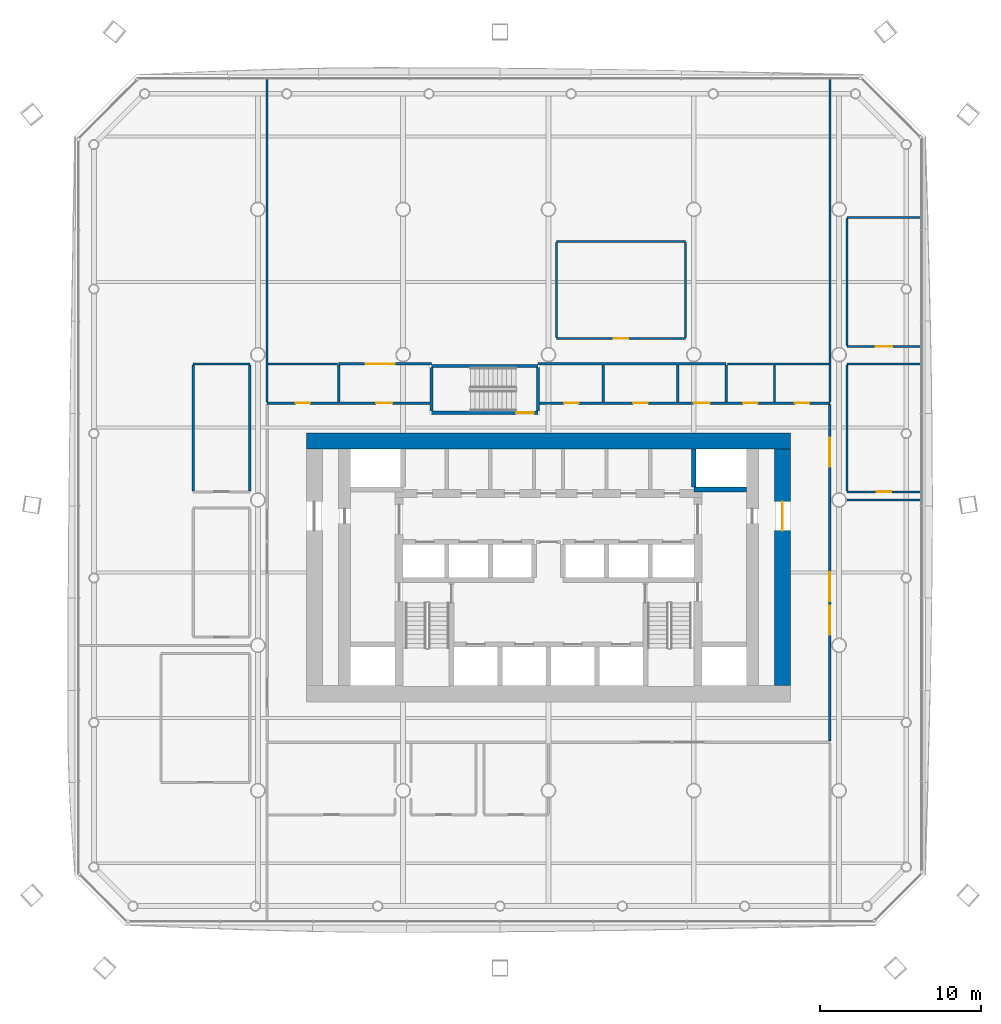
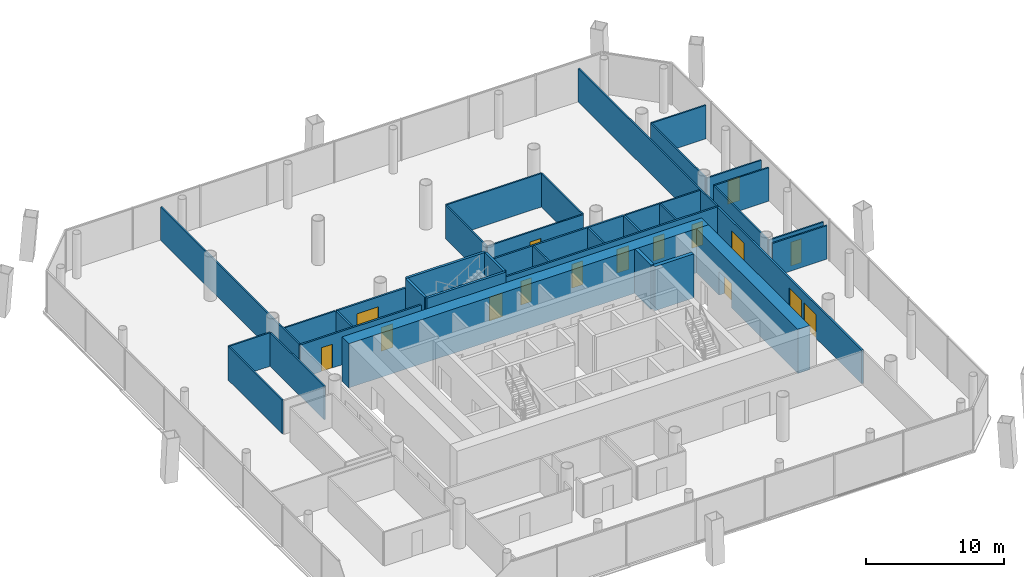
# One storey, part 14 of 20: 36 walls, 16 doors, 16 openings.
"""IFC4 building model written with IfcOpenShell, lengths in metres."""

from ifc_helpers import new_model, si_unit, direction, frame, frame_2d, origin, place, context, subcontext, project, spatial, rectangle, extrude, material, layer, layer_set, type_object, element, fill, save


model = new_model("IFC4")

# Units and contexts
model_context = context("Model", 3, precision=1e-05, world=origin(), true_north=direction((0.0, 1.0)))
body_context = subcontext(model_context, "Body", "Model", "MODEL_VIEW")
ifc_project = project(units=[si_unit("LENGTHUNIT", "METRE"), si_unit("AREAUNIT", "SQUARE_METRE"), si_unit("VOLUMEUNIT", "CUBIC_METRE"), si_unit("PLANEANGLEUNIT", "RADIAN"), si_unit("MASSUNIT", "GRAM", prefix="KILO")], contexts=[model_context])

# Site, building, storey
site_placement = place(None, origin())
site = spatial("IfcSite", under=ifc_project, at=site_placement, CompositionType="ELEMENT")
building_placement = place(site_placement, origin())
building = spatial("IfcBuilding", under=site, at=building_placement, Name="Tskaro Facet Tower", CompositionType="ELEMENT")
storey_placement = place(building_placement, frame((0.0, 0.0, 49.800048828125)))
storey = spatial("IfcBuildingStorey", under=building, at=storey_placement, Name="L11", CompositionType="ELEMENT", Elevation=49.800048828125)

# Walls
ifc_material_1 = material(Name="Concrete C60/75", Category="concrete")
ifc_layer_1 = layer(ifc_material_1, 0.300048828125, Name="Concrete C60/75")
ifc_layer_set_1 = layer_set([ifc_layer_1], Name="Concrete C60/75")
wall_type_1 = type_object("IfcWallType", Name="CORE-SHAFT", PredefinedType="SHEAR", material=ifc_layer_set_1)
wall_1_placement = place(storey_placement, frame((12.25, 0.64990234375, 0.0), z_axis=(0.0, 0.0, 1.0), x_axis=(-1.0, 0.0, 0.0)))
element("IfcWall", 1, at=wall_1_placement, inside=storey, type_object=wall_type_1, Name="Shaft wall W022", PredefinedType="SHEAR", context=body_context, shape_type="SweptSolid", body=[
    extrude(rectangle(XDim=3.25, YDim=0.300048828125, at=frame_2d((1.625, 0.0))), origin(), (0.0, 0.0, 1.0), 3.89990234375),
])
wall_2_placement = place(storey_placement, frame((9.0, 0.800048828125, 0.0), z_axis=(0.0, 0.0, 1.0), x_axis=(0.0, 1.0, 0.0)))
element("IfcWall", 2, at=wall_2_placement, inside=storey, type_object=wall_type_1, Name="Shaft wall W079", PredefinedType="SHEAR", context=body_context, shape_type="SweptSolid", body=[
    extrude(rectangle(XDim=2.349853515625, YDim=0.300048828125, at=frame_2d((1.1748046875, 0.0))), origin(), (0.0, 0.0, 1.0), 3.89990234375),
])
ifc_layer_2 = layer(ifc_material_1, 1.0, Name="Concrete C60/75")
ifc_layer_set_2 = layer_set([ifc_layer_2], Name="Concrete C60/75")
wall_type_2 = type_object("IfcWallType", Name="Core wall 1000", PredefinedType="SHEAR", material=ifc_layer_set_2)
wall_3_placement = place(storey_placement, frame((-15.0, 3.64990234375, 0.0), z_axis=(0.0, 0.0, 1.0), x_axis=(1.0, 0.0, 0.0)))
element("IfcWall", 3, at=wall_3_placement, inside=storey, type_object=wall_type_2, Name="Core wall CW-Z1N", PredefinedType="SHEAR", context=body_context, shape_type="SweptSolid", body=[
    extrude(rectangle(XDim=30.0, YDim=1.0, at=frame_2d((15.0, 0.0))), origin(), (0.0, 0.0, 1.0), 3.89990234375),
])

# Wall, opening, door
wall_4_placement = place(storey_placement, frame((14.5, -11.5, 0.0), z_axis=(0.0, 0.0, 1.0), x_axis=(0.0, 1.0, 0.0)))
wall_4 = element("IfcWall", 4, at=wall_4_placement, inside=storey, type_object=wall_type_2, Name="Core wall CW-Z1E", PredefinedType="SHEAR", context=body_context, shape_type="SweptSolid", body=[
    extrude(rectangle(XDim=14.64990234375, YDim=1.0, at=frame_2d((7.324951171875, 0.0))), origin(), (0.0, 0.0, 1.0), 3.89990234375),
])
opening_1_placement = place(wall_4_placement, frame((9.60009765625, 0.0, 0.0)))
opening_1 = element("IfcOpeningElement", 5, at=opening_1_placement, cuts=wall_4, Name="Opening T3-D20", PredefinedType="OPENING", context=body_context, shape_type="SweptSolid", body=[
    extrude(rectangle(XDim=1.800048828125, YDim=2.10009765625, at=frame_2d((0.89990234375, 1.050048828125))), frame((0.0, 0.510009765625, 0.0), z_axis=(0.0, -1.0, 0.0), x_axis=(1.0, 0.0, 0.0)), (0.0, 0.0, 1.0), 1.02001953125),
])
ifc_material_2 = material(Name="Steel", Category="steel")
door_type_1 = type_object("IfcDoorType", Name="D-CORE-PAIR", OperationType="NOTDEFINED", PredefinedType="DOOR", material=ifc_material_2)
door_1_placement = place(opening_1_placement, origin())
door_1 = element("IfcDoor", 6, at=door_1_placement, inside=storey, type_object=door_type_1, Name="Door T3-D20", OperationType="DOUBLE_DOOR_SINGLE_SWING", OverallHeight=2.10009765625, OverallWidth=1.800048828125, PredefinedType="DOOR", context=body_context, shape_type="SweptSolid", body=[
    extrude(rectangle(XDim=1.800048828125, YDim=2.10009765625, at=frame_2d((0.89990234375, 1.050048828125))), frame((0.0, 0.02490234375, 0.0), z_axis=(0.0, -1.0, 0.0), x_axis=(1.0, 0.0, 0.0)), (0.0, 0.0, 1.0), 0.050048828125),
])
fill(opening_1, door_1)

# Wall
ifc_material_3 = material(Name="Gypsum board on steel studs", Category="steel")
ifc_layer_3 = layer(ifc_material_3, 0.125, Name="Gypsum board on steel studs")
ifc_layer_set_3 = layer_set([ifc_layer_3], Name="Gypsum board on steel studs")
wall_type_3 = type_object("IfcWallType", Name="PART", PredefinedType="PARTITIONING", material=ifc_layer_set_3)
wall_5_placement = place(storey_placement, frame((18.5, 0.0, 0.0), z_axis=(0.0, 0.0, 1.0), x_axis=(1.0, 0.0, 0.0)))
element("IfcWall", 7, at=wall_5_placement, inside=storey, type_object=wall_type_3, Name="Partition W018", PredefinedType="PARTITIONING", context=body_context, shape_type="SweptSolid", body=[
    extrude(rectangle(XDim=4.556884765625, YDim=0.125, at=frame_2d((2.2783203125, 0.0))), origin(), (0.0, 0.0, 1.0), 2.9599609375),
])

# Wall, opening, door
wall_6_placement = place(storey_placement, frame((18.5, 0.5, 0.0), z_axis=(0.0, 0.0, 1.0), x_axis=(1.0, 0.0, 0.0)))
wall_6 = element("IfcWall", 8, at=wall_6_placement, inside=storey, type_object=wall_type_3, Name="Partition W020", PredefinedType="PARTITIONING", context=body_context, shape_type="SweptSolid", body=[
    extrude(rectangle(XDim=4.556884765625, YDim=0.125, at=frame_2d((2.2783203125, 0.0))), origin(), (0.0, 0.0, 1.0), 2.9599609375),
])
opening_2_placement = place(wall_6_placement, frame((1.82861328125, 0.0, 0.0)))
opening_2 = element("IfcOpeningElement", 9, at=opening_2_placement, cuts=wall_6, Name="Opening T3-D29", PredefinedType="OPENING", context=body_context, shape_type="SweptSolid", body=[
    extrude(rectangle(XDim=0.89990234375, YDim=2.10009765625, at=frame_2d((0.449951171875, 1.050048828125))), frame((0.0, 0.072509765625, 0.0), z_axis=(0.0, -1.0, 0.0), x_axis=(1.0, 0.0, 0.0)), (0.0, 0.0, 1.0), 0.14501953125),
])
ifc_material_4 = material(Name="Timber", Category="wood")
door_type_2 = type_object("IfcDoorType", Name="D-ROOM", OperationType="NOTDEFINED", PredefinedType="DOOR", material=ifc_material_4)
door_2_placement = place(opening_2_placement, origin())
door_2 = element("IfcDoor", 10, at=door_2_placement, inside=storey, type_object=door_type_2, Name="Door T3-D29", OperationType="SINGLE_SWING_LEFT", OverallHeight=2.10009765625, OverallWidth=0.89990234375, PredefinedType="DOOR", context=body_context, shape_type="SweptSolid", body=[
    extrude(rectangle(XDim=0.89990234375, YDim=2.10009765625, at=frame_2d((0.449951171875, 1.050048828125))), frame((0.0, 0.02490234375, 0.0), z_axis=(0.0, -1.0, 0.0), x_axis=(1.0, 0.0, 0.0)), (0.0, 0.0, 1.0), 0.050048828125),
])
fill(opening_2, door_2)

# Walls
wall_7_placement = place(storey_placement, frame((-22.0, 8.425048828125, 0.0), z_axis=(0.0, 0.0, 1.0), x_axis=(1.0, 0.0, 0.0)))
element("IfcWall", 11, at=wall_7_placement, inside=storey, type_object=wall_type_3, Name="Partition W027", PredefinedType="PARTITIONING", context=body_context, shape_type="SweptSolid", body=[
    extrude(rectangle(XDim=3.5, YDim=0.125, at=frame_2d((1.75, 0.0))), origin(), (0.0, 0.0, 1.0), 2.9599609375),
])
wall_8_placement = place(storey_placement, frame((-17.362548828125, 8.425048828125, 0.0), z_axis=(0.0, 0.0, 1.0), x_axis=(1.0, 0.0, 0.0)))
element("IfcWall", 12, at=wall_8_placement, inside=storey, type_object=wall_type_3, Name="Partition W028", PredefinedType="PARTITIONING", context=body_context, shape_type="SweptSolid", body=[
    extrude(rectangle(XDim=4.28759765625, YDim=0.125, at=frame_2d((2.143798828125, 0.0))), origin(), (0.0, 0.0, 1.0), 2.9599609375),
])
wall_9_placement = place(storey_placement, frame((11.074951171875, 8.425048828125, 0.0), z_axis=(0.0, 0.0, 1.0), x_axis=(1.0, 0.0, 0.0)))
element("IfcWall", 13, at=wall_9_placement, inside=storey, type_object=wall_type_3, Name="Partition W031", PredefinedType="PARTITIONING", context=body_context, shape_type="SweptSolid", body=[
    extrude(rectangle(XDim=6.28759765625, YDim=0.125, at=frame_2d((3.143798828125, 0.0))), origin(), (0.0, 0.0, 1.0), 2.9599609375),
])
wall_10_placement = place(storey_placement, frame((18.5, 8.425048828125, 0.0), z_axis=(0.0, 0.0, 1.0), x_axis=(1.0, 0.0, 0.0)))
element("IfcWall", 14, at=wall_10_placement, inside=storey, type_object=wall_type_3, Name="Partition W032", PredefinedType="PARTITIONING", context=body_context, shape_type="SweptSolid", body=[
    extrude(rectangle(XDim=4.556884765625, YDim=0.125, at=frame_2d((2.2783203125, 0.0))), origin(), (0.0, 0.0, 1.0), 2.9599609375),
])

# Wall, opening, door
wall_11_placement = place(storey_placement, frame((18.5, 9.5, 0.0), z_axis=(0.0, 0.0, 1.0), x_axis=(1.0, 0.0, 0.0)))
wall_11 = element("IfcWall", 15, at=wall_11_placement, inside=storey, type_object=wall_type_3, Name="Partition W033", PredefinedType="PARTITIONING", context=body_context, shape_type="SweptSolid", body=[
    extrude(rectangle(XDim=4.556884765625, YDim=0.125, at=frame_2d((2.2783203125, 0.0))), origin(), (0.0, 0.0, 1.0), 2.9599609375),
])
opening_3_placement = place(wall_11_placement, frame((1.778564453125, 0.0, 0.0)))
opening_3 = element("IfcOpeningElement", 16, at=opening_3_placement, cuts=wall_11, Name="Opening T3-D41", PredefinedType="OPENING", context=body_context, shape_type="SweptSolid", body=[
    extrude(rectangle(XDim=1.0, YDim=2.10009765625, at=frame_2d((0.5, 1.050048828125))), frame((0.0, 0.072509765625, 0.0), z_axis=(0.0, -1.0, 0.0), x_axis=(1.0, 0.0, 0.0)), (0.0, 0.0, 1.0), 0.14501953125),
])
door_type_3 = type_object("IfcDoorType", Name="D-ROOM-WIDE", OperationType="NOTDEFINED", PredefinedType="DOOR", material=ifc_material_4)
door_3_placement = place(opening_3_placement, origin())
door_3 = element("IfcDoor", 17, at=door_3_placement, inside=storey, type_object=door_type_3, Name="Door T3-D41", OperationType="SINGLE_SWING_LEFT", OverallHeight=2.10009765625, OverallWidth=1.0, PredefinedType="DOOR", context=body_context, shape_type="SweptSolid", body=[
    extrude(rectangle(XDim=1.0, YDim=2.10009765625, at=frame_2d((0.5, 1.050048828125))), frame((0.0, 0.02490234375, 0.0), z_axis=(0.0, -1.0, 0.0), x_axis=(1.0, 0.0, 0.0)), (0.0, 0.0, 1.0), 0.050048828125),
])
fill(opening_3, door_3)

wall_12_placement = place(storey_placement, frame((0.5, 10.0, 0.0), z_axis=(0.0, 0.0, 1.0), x_axis=(1.0, 0.0, 0.0)))
wall_12 = element("IfcWall", 18, at=wall_12_placement, inside=storey, type_object=wall_type_3, Name="Partition W034", PredefinedType="PARTITIONING", context=body_context, shape_type="SweptSolid", body=[
    extrude(rectangle(XDim=8.0, YDim=0.125, at=frame_2d((4.0, 0.0))), origin(), (0.0, 0.0, 1.0), 2.9599609375),
])
opening_4_placement = place(wall_12_placement, frame((3.550048828125, 0.0, 0.0)))
opening_4 = element("IfcOpeningElement", 19, at=opening_4_placement, cuts=wall_12, Name="Opening T3-D42", PredefinedType="OPENING", context=body_context, shape_type="SweptSolid", body=[
    extrude(rectangle(XDim=0.89990234375, YDim=2.10009765625, at=frame_2d((0.449951171875, 1.050048828125))), frame((0.0, 0.072509765625, 0.0), z_axis=(0.0, -1.0, 0.0), x_axis=(1.0, 0.0, 0.0)), (0.0, 0.0, 1.0), 0.14501953125),
])
door_4_placement = place(opening_4_placement, origin())
door_4 = element("IfcDoor", 20, at=door_4_placement, inside=storey, type_object=door_type_2, Name="Door T3-D42", OperationType="SINGLE_SWING_LEFT", OverallHeight=2.10009765625, OverallWidth=0.89990234375, PredefinedType="DOOR", context=body_context, shape_type="SweptSolid", body=[
    extrude(rectangle(XDim=0.89990234375, YDim=2.10009765625, at=frame_2d((0.449951171875, 1.050048828125))), frame((0.0, 0.02490234375, 0.0), z_axis=(0.0, -1.0, 0.0), x_axis=(1.0, 0.0, 0.0)), (0.0, 0.0, 1.0), 0.050048828125),
])
fill(opening_4, door_4)

# Walls
wall_13_placement = place(storey_placement, frame((0.5, 16.0, 0.0), z_axis=(0.0, 0.0, 1.0), x_axis=(1.0, 0.0, 0.0)))
element("IfcWall", 21, at=wall_13_placement, inside=storey, type_object=wall_type_3, Name="Partition W035", PredefinedType="PARTITIONING", context=body_context, shape_type="SweptSolid", body=[
    extrude(rectangle(XDim=8.0, YDim=0.125, at=frame_2d((4.0, 0.0))), origin(), (0.0, 0.0, 1.0), 2.9599609375),
])
wall_14_placement = place(storey_placement, frame((18.5, 17.5, 0.0), z_axis=(0.0, 0.0, 1.0), x_axis=(1.0, 0.0, 0.0)))
element("IfcWall", 22, at=wall_14_placement, inside=storey, type_object=wall_type_3, Name="Partition W036", PredefinedType="PARTITIONING", context=body_context, shape_type="SweptSolid", body=[
    extrude(rectangle(XDim=4.556884765625, YDim=0.125, at=frame_2d((2.2783203125, 0.0))), origin(), (0.0, 0.0, 1.0), 2.9599609375),
])
for number, where, z_axis, x_axis, name in (
    (23, (-22.0, 0.5625, 0.0), (0.0, 0.0, 1.0), (0.0, 1.0, 0.0), "Partition W039"),
    (24, (-18.5, 0.5625, 0.0), (0.0, 0.0, 1.0), (0.0, 1.0, 0.0), "Partition W042"),
):
    element("IfcWall", number, at=place(storey_placement, frame(where, z_axis=z_axis, x_axis=x_axis)), inside=storey, type_object=wall_type_3, Name=name, PredefinedType="PARTITIONING", context=body_context, shape_type="SweptSolid", body=[
        extrude(rectangle(XDim=7.800048828125, YDim=0.125, at=frame_2d((3.89990234375, 0.0))), origin(), (0.0, 0.0, 1.0), 2.9599609375),
    ])
wall_15_placement = place(storey_placement, frame((-17.425048828125, 6.074951171875, 0.0), z_axis=(0.0, 0.0, 1.0), x_axis=(0.0, 1.0, 0.0)))
element("IfcWall", 25, at=wall_15_placement, inside=storey, type_object=wall_type_3, Name="Partition W045", PredefinedType="PARTITIONING", context=body_context, shape_type="SweptSolid", body=[
    extrude(rectangle(XDim=19.98193359375, YDim=0.125, at=frame_2d((9.990966796875, 0.0))), origin(), (0.0, 0.0, 1.0), 2.9599609375),
])
for number, where, z_axis, x_axis, name in (
    (26, (0.5, 10.0625, 0.0), (0.0, 0.0, 1.0), (0.0, 1.0, 0.0), "Partition W067"),
    (27, (8.5, 10.0625, 0.0), (0.0, 0.0, 1.0), (0.0, 1.0, 0.0), "Partition W078"),
):
    element("IfcWall", number, at=place(storey_placement, frame(where, z_axis=z_axis, x_axis=x_axis)), inside=storey, type_object=wall_type_3, Name=name, PredefinedType="PARTITIONING", context=body_context, shape_type="SweptSolid", body=[
        extrude(rectangle(XDim=5.875, YDim=0.125, at=frame_2d((2.9375, 0.0))), origin(), (0.0, 0.0, 1.0), 2.9599609375),
    ])
wall_16_placement = place(storey_placement, frame((14.0, 6.074951171875, 0.0), z_axis=(0.0, 0.0, 1.0), x_axis=(0.0, 1.0, 0.0)))
element("IfcWall", 28, at=wall_16_placement, inside=storey, type_object=wall_type_3, Name="Partition W081", PredefinedType="PARTITIONING", context=body_context, shape_type="SweptSolid", body=[
    extrude(rectangle(XDim=2.28759765625, YDim=0.125, at=frame_2d((1.143798828125, 0.0))), origin(), (0.0, 0.0, 1.0), 2.9599609375),
])
wall_17_placement = place(storey_placement, frame((17.425048828125, 6.074951171875, 0.0), z_axis=(0.0, 0.0, 1.0), x_axis=(0.0, 1.0, 0.0)))
element("IfcWall", 29, at=wall_17_placement, inside=storey, type_object=wall_type_3, Name="Partition W084", PredefinedType="PARTITIONING", context=body_context, shape_type="SweptSolid", body=[
    extrude(rectangle(XDim=19.98193359375, YDim=0.125, at=frame_2d((9.990966796875, 0.0))), origin(), (0.0, 0.0, 1.0), 2.9599609375),
])
wall_18_placement = place(storey_placement, frame((18.5, 0.5625, 0.0), z_axis=(0.0, 0.0, 1.0), x_axis=(0.0, 1.0, 0.0)))
element("IfcWall", 30, at=wall_18_placement, inside=storey, type_object=wall_type_3, Name="Partition W085", PredefinedType="PARTITIONING", context=body_context, shape_type="SweptSolid", body=[
    extrude(rectangle(XDim=7.800048828125, YDim=0.125, at=frame_2d((3.89990234375, 0.0))), origin(), (0.0, 0.0, 1.0), 2.9599609375),
])
wall_19_placement = place(storey_placement, frame((18.5, 9.5625, 0.0), z_axis=(0.0, 0.0, 1.0), x_axis=(0.0, 1.0, 0.0)))
element("IfcWall", 31, at=wall_19_placement, inside=storey, type_object=wall_type_3, Name="Partition W086", PredefinedType="PARTITIONING", context=body_context, shape_type="SweptSolid", body=[
    extrude(rectangle(XDim=7.875, YDim=0.125, at=frame_2d((3.9375, 0.0))), origin(), (0.0, 0.0, 1.0), 2.9599609375),
])

# Wall, openings, doors
ifc_layer_4 = layer(ifc_material_3, 0.14990234375, Name="Gypsum board on steel studs")
ifc_layer_set_4 = layer_set([ifc_layer_4], Name="Gypsum board on steel studs")
wall_type_4 = type_object("IfcWallType", Name="PART-CORR", PredefinedType="PARTITIONING", material=ifc_layer_set_4)
wall_20_placement = place(storey_placement, frame((-7.35009765625, 6.0, 0.0), z_axis=(0.0, 0.0, 1.0), x_axis=(-1.0, 0.0, 0.0)))
wall_20 = element("IfcWall", 32, at=wall_20_placement, inside=storey, type_object=wall_type_4, Name="Corridor wall W024", PredefinedType="PARTITIONING", context=body_context, shape_type="SweptSolid", body=[
    extrude(rectangle(XDim=10.074951171875, YDim=0.14990234375, at=frame_2d((5.03759765625, 0.0))), origin(), (0.0, 0.0, 1.0), 2.9599609375),
])
opening_5_placement = place(wall_20_placement, frame((2.324951171875, 0.0, 0.0)))
opening_5 = element("IfcOpeningElement", 33, at=opening_5_placement, cuts=wall_20, Name="Opening T3-D34", PredefinedType="OPENING", context=body_context, shape_type="SweptSolid", body=[
    extrude(rectangle(XDim=1.0, YDim=2.10009765625, at=frame_2d((0.5, 1.050048828125))), frame((0.0, 0.0849609375, 0.0), z_axis=(0.0, -1.0, 0.0), x_axis=(1.0, 0.0, 0.0)), (0.0, 0.0, 1.0), 0.169921875),
])
opening_6_placement = place(wall_20_placement, frame((7.41259765625, 0.0, 0.0)))
opening_6 = element("IfcOpeningElement", 34, at=opening_6_placement, cuts=wall_20, Name="Opening T3-D33", PredefinedType="OPENING", context=body_context, shape_type="SweptSolid", body=[
    extrude(rectangle(XDim=0.89990234375, YDim=2.10009765625, at=frame_2d((0.449951171875, 1.050048828125))), frame((0.0, 0.0849609375, 0.0), z_axis=(0.0, -1.0, 0.0), x_axis=(1.0, 0.0, 0.0)), (0.0, 0.0, 1.0), 0.169921875),
])
door_type_4 = type_object("IfcDoorType", Name="D-ENTRY", OperationType="NOTDEFINED", PredefinedType="DOOR", material=ifc_material_4)
door_5_placement = place(opening_5_placement, origin())
door_5 = element("IfcDoor", 35, at=door_5_placement, inside=storey, type_object=door_type_4, Name="Door T3-D34", OperationType="SINGLE_SWING_RIGHT", OverallHeight=2.10009765625, OverallWidth=1.0, PredefinedType="DOOR", context=body_context, shape_type="SweptSolid", body=[
    extrude(rectangle(XDim=1.0, YDim=2.10009765625, at=frame_2d((0.5, 1.050048828125))), frame((0.0, 0.02490234375, 0.0), z_axis=(0.0, -1.0, 0.0), x_axis=(1.0, 0.0, 0.0)), (0.0, 0.0, 1.0), 0.050048828125),
])
fill(opening_5, door_5)
door_6_placement = place(opening_6_placement, origin())
door_6 = element("IfcDoor", 36, at=door_6_placement, inside=storey, type_object=door_type_2, Name="Door T3-D33", OperationType="SINGLE_SWING_RIGHT", OverallHeight=2.10009765625, OverallWidth=0.89990234375, PredefinedType="DOOR", context=body_context, shape_type="SweptSolid", body=[
    extrude(rectangle(XDim=0.89990234375, YDim=2.10009765625, at=frame_2d((0.449951171875, 1.050048828125))), frame((0.0, 0.02490234375, 0.0), z_axis=(0.0, -1.0, 0.0), x_axis=(1.0, 0.0, 0.0)), (0.0, 0.0, 1.0), 0.050048828125),
])
fill(opening_6, door_6)

wall_21_placement = place(storey_placement, frame((-0.550048828125, 6.0, 0.0), z_axis=(0.0, 0.0, 1.0), x_axis=(1.0, 0.0, 0.0)))
wall_21 = element("IfcWall", 37, at=wall_21_placement, inside=storey, type_object=wall_type_4, Name="Corridor wall W025", PredefinedType="PARTITIONING", context=body_context, shape_type="SweptSolid", body=[
    extrude(rectangle(XDim=17.97509765625, YDim=0.14990234375, at=frame_2d((8.987548828125, 0.0))), origin(), (0.0, 0.0, 1.0), 2.9599609375),
])
opening_7_placement = place(wall_21_placement, frame((1.52490234375, 0.0, 0.0)))
opening_7 = element("IfcOpeningElement", 38, at=opening_7_placement, cuts=wall_21, Name="Opening T3-D35", PredefinedType="OPENING", context=body_context, shape_type="SweptSolid", body=[
    extrude(rectangle(XDim=0.89990234375, YDim=2.10009765625, at=frame_2d((0.449951171875, 1.050048828125))), frame((0.0, 0.0849609375, 0.0), z_axis=(0.0, -1.0, 0.0), x_axis=(1.0, 0.0, 0.0)), (0.0, 0.0, 1.0), 0.169921875),
])
opening_8_placement = place(wall_21_placement, frame((5.800048828125, 0.0, 0.0)))
opening_8 = element("IfcOpeningElement", 39, at=opening_8_placement, cuts=wall_21, Name="Opening T3-D36", PredefinedType="OPENING", context=body_context, shape_type="SweptSolid", body=[
    extrude(rectangle(XDim=0.89990234375, YDim=2.10009765625, at=frame_2d((0.449951171875, 1.050048828125))), frame((0.0, 0.0849609375, 0.0), z_axis=(0.0, -1.0, 0.0), x_axis=(1.0, 0.0, 0.0)), (0.0, 0.0, 1.0), 0.169921875),
])
opening_9_placement = place(wall_21_placement, frame((9.550048828125, 0.0, 0.0)))
opening_9 = element("IfcOpeningElement", 40, at=opening_9_placement, cuts=wall_21, Name="Opening T3-D37", PredefinedType="OPENING", context=body_context, shape_type="SweptSolid", body=[
    extrude(rectangle(XDim=1.0, YDim=2.10009765625, at=frame_2d((0.5, 1.050048828125))), frame((0.0, 0.0849609375, 0.0), z_axis=(0.0, -1.0, 0.0), x_axis=(1.0, 0.0, 0.0)), (0.0, 0.0, 1.0), 0.169921875),
])
opening_10_placement = place(wall_21_placement, frame((12.60009765625, 0.0, 0.0)))
opening_10 = element("IfcOpeningElement", 41, at=opening_10_placement, cuts=wall_21, Name="Opening T3-D38", PredefinedType="OPENING", context=body_context, shape_type="SweptSolid", body=[
    extrude(rectangle(XDim=0.89990234375, YDim=2.10009765625, at=frame_2d((0.449951171875, 1.050048828125))), frame((0.0, 0.0849609375, 0.0), z_axis=(0.0, -1.0, 0.0), x_axis=(1.0, 0.0, 0.0)), (0.0, 0.0, 1.0), 0.169921875),
])
opening_11_placement = place(wall_21_placement, frame((15.8125, 0.0, 0.0)))
opening_11 = element("IfcOpeningElement", 42, at=opening_11_placement, cuts=wall_21, Name="Opening T3-D39", PredefinedType="OPENING", context=body_context, shape_type="SweptSolid", body=[
    extrude(rectangle(XDim=0.89990234375, YDim=2.10009765625, at=frame_2d((0.449951171875, 1.050048828125))), frame((0.0, 0.0849609375, 0.0), z_axis=(0.0, -1.0, 0.0), x_axis=(1.0, 0.0, 0.0)), (0.0, 0.0, 1.0), 0.169921875),
])
door_7_placement = place(opening_7_placement, origin())
door_7 = element("IfcDoor", 43, at=door_7_placement, inside=storey, type_object=door_type_2, Name="Door T3-D35", OperationType="SINGLE_SWING_LEFT", OverallHeight=2.10009765625, OverallWidth=0.89990234375, PredefinedType="DOOR", context=body_context, shape_type="SweptSolid", body=[
    extrude(rectangle(XDim=0.89990234375, YDim=2.10009765625, at=frame_2d((0.449951171875, 1.050048828125))), frame((0.0, 0.02490234375, 0.0), z_axis=(0.0, -1.0, 0.0), x_axis=(1.0, 0.0, 0.0)), (0.0, 0.0, 1.0), 0.050048828125),
])
fill(opening_7, door_7)
door_8_placement = place(opening_8_placement, origin())
door_8 = element("IfcDoor", 44, at=door_8_placement, inside=storey, type_object=door_type_2, Name="Door T3-D36", OperationType="SINGLE_SWING_LEFT", OverallHeight=2.10009765625, OverallWidth=0.89990234375, PredefinedType="DOOR", context=body_context, shape_type="SweptSolid", body=[
    extrude(rectangle(XDim=0.89990234375, YDim=2.10009765625, at=frame_2d((0.449951171875, 1.050048828125))), frame((0.0, 0.02490234375, 0.0), z_axis=(0.0, -1.0, 0.0), x_axis=(1.0, 0.0, 0.0)), (0.0, 0.0, 1.0), 0.050048828125),
])
fill(opening_8, door_8)
door_9_placement = place(opening_10_placement, origin())
door_9 = element("IfcDoor", 45, at=door_9_placement, inside=storey, type_object=door_type_2, Name="Door T3-D38", OperationType="SINGLE_SWING_LEFT", OverallHeight=2.10009765625, OverallWidth=0.89990234375, PredefinedType="DOOR", context=body_context, shape_type="SweptSolid", body=[
    extrude(rectangle(XDim=0.89990234375, YDim=2.10009765625, at=frame_2d((0.449951171875, 1.050048828125))), frame((0.0, 0.02490234375, 0.0), z_axis=(0.0, -1.0, 0.0), x_axis=(1.0, 0.0, 0.0)), (0.0, 0.0, 1.0), 0.050048828125),
])
fill(opening_10, door_9)
door_10_placement = place(opening_11_placement, origin())
door_10 = element("IfcDoor", 46, at=door_10_placement, inside=storey, type_object=door_type_2, Name="Door T3-D39", OperationType="SINGLE_SWING_LEFT", OverallHeight=2.10009765625, OverallWidth=0.89990234375, PredefinedType="DOOR", context=body_context, shape_type="SweptSolid", body=[
    extrude(rectangle(XDim=0.89990234375, YDim=2.10009765625, at=frame_2d((0.449951171875, 1.050048828125))), frame((0.0, 0.02490234375, 0.0), z_axis=(0.0, -1.0, 0.0), x_axis=(1.0, 0.0, 0.0)), (0.0, 0.0, 1.0), 0.050048828125),
])
fill(opening_11, door_10)
door_11_placement = place(opening_9_placement, origin())
door_11 = element("IfcDoor", 47, at=door_11_placement, inside=storey, type_object=door_type_3, Name="Door T3-D37", OperationType="SINGLE_SWING_LEFT", OverallHeight=2.10009765625, OverallWidth=1.0, PredefinedType="DOOR", context=body_context, shape_type="SweptSolid", body=[
    extrude(rectangle(XDim=1.0, YDim=2.10009765625, at=frame_2d((0.5, 1.050048828125))), frame((0.0, 0.02490234375, 0.0), z_axis=(0.0, -1.0, 0.0), x_axis=(1.0, 0.0, 0.0)), (0.0, 0.0, 1.0), 0.050048828125),
])
fill(opening_9, door_11)

# Wall, opening, door
wall_22_placement = place(storey_placement, frame((-13.0, 8.425048828125, 0.0), z_axis=(0.0, 0.0, 1.0), x_axis=(1.0, 0.0, 0.0)))
wall_22 = element("IfcWall", 48, at=wall_22_placement, inside=storey, type_object=wall_type_4, Name="Corridor wall W029", PredefinedType="PARTITIONING", context=body_context, shape_type="SweptSolid", body=[
    extrude(rectangle(XDim=5.75, YDim=0.14990234375, at=frame_2d((2.875, 0.0))), origin(), (0.0, 0.0, 1.0), 2.9599609375),
])
opening_12_placement = place(wall_22_placement, frame((1.675048828125, 0.0, 0.0)))
opening_12 = element("IfcOpeningElement", 49, at=opening_12_placement, cuts=wall_22, Name="Opening T3-D40", PredefinedType="OPENING", context=body_context, shape_type="SweptSolid", body=[
    extrude(rectangle(XDim=1.800048828125, YDim=2.10009765625, at=frame_2d((0.89990234375, 1.050048828125))), frame((0.0, 0.0849609375, 0.0), z_axis=(0.0, -1.0, 0.0), x_axis=(1.0, 0.0, 0.0)), (0.0, 0.0, 1.0), 0.169921875),
])
ifc_material_5 = material(Name="Glass", Category="glass")
door_type_5 = type_object("IfcDoorType", Name="D-ENTRY-PAIR", OperationType="NOTDEFINED", PredefinedType="DOOR", material=ifc_material_5)
door_12_placement = place(opening_12_placement, origin())
door_12 = element("IfcDoor", 50, at=door_12_placement, inside=storey, type_object=door_type_5, Name="Door T3-D40", OperationType="DOUBLE_DOOR_SINGLE_SWING", OverallHeight=2.10009765625, OverallWidth=1.800048828125, PredefinedType="DOOR", context=body_context, shape_type="SweptSolid", body=[
    extrude(rectangle(XDim=1.800048828125, YDim=2.10009765625, at=frame_2d((0.89990234375, 1.050048828125))), frame((0.0, 0.02490234375, 0.0), z_axis=(0.0, -1.0, 0.0), x_axis=(1.0, 0.0, 0.0)), (0.0, 0.0, 1.0), 0.050048828125),
])
fill(opening_12, door_12)

# Walls
wall_23_placement = place(storey_placement, frame((-0.64990234375, 8.425048828125, 0.0), z_axis=(0.0, 0.0, 1.0), x_axis=(1.0, 0.0, 0.0)))
element("IfcWall", 51, at=wall_23_placement, inside=storey, type_object=wall_type_4, Name="Corridor wall W030", PredefinedType="PARTITIONING", context=body_context, shape_type="SweptSolid", body=[
    extrude(rectangle(XDim=11.64990234375, YDim=0.14990234375, at=frame_2d((5.824951171875, 0.0))), origin(), (0.0, 0.0, 1.0), 2.9599609375),
])
for number, where, z_axis, x_axis, name in (
    (52, (-13.0, 6.074951171875, 0.0), (0.0, 0.0, 1.0), (0.0, 1.0, 0.0), "Corridor wall W046"),
    (53, (3.39990234375, 6.074951171875, 0.0), (0.0, 0.0, 1.0), (0.0, 1.0, 0.0), "Corridor wall W071"),
    (54, (8.0, 6.074951171875, 0.0), (0.0, 0.0, 1.0), (0.0, 1.0, 0.0), "Corridor wall W077"),
    (55, (11.0, 6.074951171875, 0.0), (0.0, 0.0, 1.0), (0.0, 1.0, 0.0), "Corridor wall W080"),
):
    element("IfcWall", number, at=place(storey_placement, frame(where, z_axis=z_axis, x_axis=x_axis)), inside=storey, type_object=wall_type_4, Name=name, PredefinedType="PARTITIONING", context=body_context, shape_type="SweptSolid", body=[
        extrude(rectangle(XDim=2.275146484375, YDim=0.14990234375, at=frame_2d((1.1376953125, 0.0))), origin(), (0.0, 0.0, 1.0), 2.9599609375),
    ])

# Wall, openings, doors
wall_24_placement = place(storey_placement, frame((17.425048828125, -14.925048828125, 0.0), z_axis=(0.0, 0.0, 1.0), x_axis=(0.0, 1.0, 0.0)))
wall_24 = element("IfcWall", 56, at=wall_24_placement, inside=storey, type_object=wall_type_4, Name="Corridor wall W083", PredefinedType="PARTITIONING", context=body_context, shape_type="SweptSolid", body=[
    extrude(rectangle(XDim=20.85009765625, YDim=0.14990234375, at=frame_2d((10.425048828125, 0.0))), origin(), (0.0, 0.0, 1.0), 2.9599609375),
])
opening_13_placement = place(wall_24_placement, frame((6.5625, 0.0, 0.0)))
opening_13 = element("IfcOpeningElement", 57, at=opening_13_placement, cuts=wall_24, Name="Opening T3-D11", PredefinedType="OPENING", context=body_context, shape_type="SweptSolid", body=[
    extrude(rectangle(XDim=1.800048828125, YDim=2.10009765625, at=frame_2d((0.89990234375, 1.050048828125))), frame((0.0, 0.0849609375, 0.0), z_axis=(0.0, -1.0, 0.0), x_axis=(1.0, 0.0, 0.0)), (0.0, 0.0, 1.0), 0.169921875),
])
opening_14_placement = place(wall_24_placement, frame((8.66259765625, 0.0, 0.0)))
opening_14 = element("IfcOpeningElement", 58, at=opening_14_placement, cuts=wall_24, Name="Opening T3-D12", PredefinedType="OPENING", context=body_context, shape_type="SweptSolid", body=[
    extrude(rectangle(XDim=1.800048828125, YDim=2.10009765625, at=frame_2d((0.89990234375, 1.050048828125))), frame((0.0, 0.0849609375, 0.0), z_axis=(0.0, -1.0, 0.0), x_axis=(1.0, 0.0, 0.0)), (0.0, 0.0, 1.0), 0.169921875),
])
opening_15_placement = place(wall_24_placement, frame((16.987548828125, 0.0, 0.0)))
opening_15 = element("IfcOpeningElement", 59, at=opening_15_placement, cuts=wall_24, Name="Opening T3-D32", PredefinedType="OPENING", context=body_context, shape_type="SweptSolid", body=[
    extrude(rectangle(XDim=1.800048828125, YDim=2.10009765625, at=frame_2d((0.89990234375, 1.050048828125))), frame((0.0, 0.0849609375, 0.0), z_axis=(0.0, -1.0, 0.0), x_axis=(1.0, 0.0, 0.0)), (0.0, 0.0, 1.0), 0.169921875),
])
door_13_placement = place(opening_13_placement, origin())
door_13 = element("IfcDoor", 60, at=door_13_placement, inside=storey, type_object=door_type_5, Name="Door T3-D11", OperationType="DOUBLE_DOOR_SINGLE_SWING", OverallHeight=2.10009765625, OverallWidth=1.800048828125, PredefinedType="DOOR", context=body_context, shape_type="SweptSolid", body=[
    extrude(rectangle(XDim=1.800048828125, YDim=2.10009765625, at=frame_2d((0.89990234375, 1.050048828125))), frame((0.0, 0.02490234375, 0.0), z_axis=(0.0, -1.0, 0.0), x_axis=(1.0, 0.0, 0.0)), (0.0, 0.0, 1.0), 0.050048828125),
])
fill(opening_13, door_13)
door_14_placement = place(opening_14_placement, origin())
door_14 = element("IfcDoor", 61, at=door_14_placement, inside=storey, type_object=door_type_5, Name="Door T3-D12", OperationType="DOUBLE_DOOR_SINGLE_SWING", OverallHeight=2.10009765625, OverallWidth=1.800048828125, PredefinedType="DOOR", context=body_context, shape_type="SweptSolid", body=[
    extrude(rectangle(XDim=1.800048828125, YDim=2.10009765625, at=frame_2d((0.89990234375, 1.050048828125))), frame((0.0, 0.02490234375, 0.0), z_axis=(0.0, -1.0, 0.0), x_axis=(1.0, 0.0, 0.0)), (0.0, 0.0, 1.0), 0.050048828125),
])
fill(opening_14, door_14)
door_15_placement = place(opening_15_placement, origin())
door_15 = element("IfcDoor", 62, at=door_15_placement, inside=storey, type_object=door_type_5, Name="Door T3-D32", OperationType="DOUBLE_DOOR_SINGLE_SWING", OverallHeight=2.10009765625, OverallWidth=1.800048828125, PredefinedType="DOOR", context=body_context, shape_type="SweptSolid", body=[
    extrude(rectangle(XDim=1.800048828125, YDim=2.10009765625, at=frame_2d((0.89990234375, 1.050048828125))), frame((0.0, 0.02490234375, 0.0), z_axis=(0.0, -1.0, 0.0), x_axis=(1.0, 0.0, 0.0)), (0.0, 0.0, 1.0), 0.050048828125),
])
fill(opening_15, door_15)

# Wall, opening, door
ifc_layer_5 = layer(ifc_material_1, 0.199951171875, Name="Concrete C60/75")
ifc_layer_set_5 = layer_set([ifc_layer_5], Name="Concrete C60/75")
wall_type_5 = type_object("IfcWallType", Name="STAIR-WALL", PredefinedType="SHEAR", material=ifc_layer_set_5)
wall_25_placement = place(storey_placement, frame((-7.25, 5.39990234375, 0.0), z_axis=(0.0, 0.0, 1.0), x_axis=(1.0, 0.0, 0.0)))
wall_25 = element("IfcWall", 63, at=wall_25_placement, inside=storey, type_object=wall_type_5, Name="Stair wall W023", PredefinedType="SHEAR", context=body_context, shape_type="SweptSolid", body=[
    extrude(rectangle(XDim=6.60009765625, YDim=0.199951171875, at=frame_2d((3.300048828125, 0.0))), origin(), (0.0, 0.0, 1.0), 3.89990234375),
])
opening_16_placement = place(wall_25_placement, frame((5.25, 0.0, 0.0)))
opening_16 = element("IfcOpeningElement", 64, at=opening_16_placement, cuts=wall_25, Name="Opening ST-3-D1", PredefinedType="OPENING", context=body_context, shape_type="SweptSolid", body=[
    extrude(rectangle(XDim=1.10009765625, YDim=2.10009765625, at=frame_2d((0.550048828125, 1.050048828125))), frame((0.0, 0.10986328125, 0.0), z_axis=(0.0, -1.0, 0.0), x_axis=(1.0, 0.0, 0.0)), (0.0, 0.0, 1.0), 0.219970703125),
])
door_type_6 = type_object("IfcDoorType", Name="D-STAIR", OperationType="NOTDEFINED", PredefinedType="DOOR", material=ifc_material_2)
door_16_placement = place(opening_16_placement, origin())
door_16 = element("IfcDoor", 65, at=door_16_placement, inside=storey, type_object=door_type_6, Name="Stair door 3", OperationType="SINGLE_SWING_LEFT", OverallHeight=2.10009765625, OverallWidth=1.10009765625, PredefinedType="DOOR", context=body_context, shape_type="SweptSolid", body=[
    extrude(rectangle(XDim=1.10009765625, YDim=2.10009765625, at=frame_2d((0.550048828125, 1.050048828125))), frame((0.0, 0.02490234375, 0.0), z_axis=(0.0, -1.0, 0.0), x_axis=(1.0, 0.0, 0.0)), (0.0, 0.0, 1.0), 0.050048828125),
])
fill(opening_16, door_16)

# Walls
wall_26_placement = place(storey_placement, frame((-7.25, 8.300048828125, 0.0), z_axis=(0.0, 0.0, 1.0), x_axis=(1.0, 0.0, 0.0)))
element("IfcWall", 66, at=wall_26_placement, inside=storey, type_object=wall_type_5, Name="Stair wall W026", PredefinedType="SHEAR", context=body_context, shape_type="SweptSolid", body=[
    extrude(rectangle(XDim=6.60009765625, YDim=0.199951171875, at=frame_2d((3.300048828125, 0.0))), origin(), (0.0, 0.0, 1.0), 3.89990234375),
])
for number, where, z_axis, x_axis, name in (
    (67, (-7.25, 5.5, 0.0), (0.0, 0.0, 1.0), (0.0, 1.0, 0.0), "Stair wall W052"),
    (68, (-0.64990234375, 5.5, 0.0), (0.0, 0.0, 1.0), (0.0, 1.0, 0.0), "Stair wall W063"),
):
    element("IfcWall", number, at=place(storey_placement, frame(where, z_axis=z_axis, x_axis=x_axis)), inside=storey, type_object=wall_type_5, Name=name, PredefinedType="SHEAR", context=body_context, shape_type="SweptSolid", body=[
        extrude(rectangle(XDim=2.699951171875, YDim=0.199951171875, at=frame_2d((1.35009765625, 0.0))), origin(), (0.0, 0.0, 1.0), 3.89990234375),
    ])

save(model, "model.ifc")
